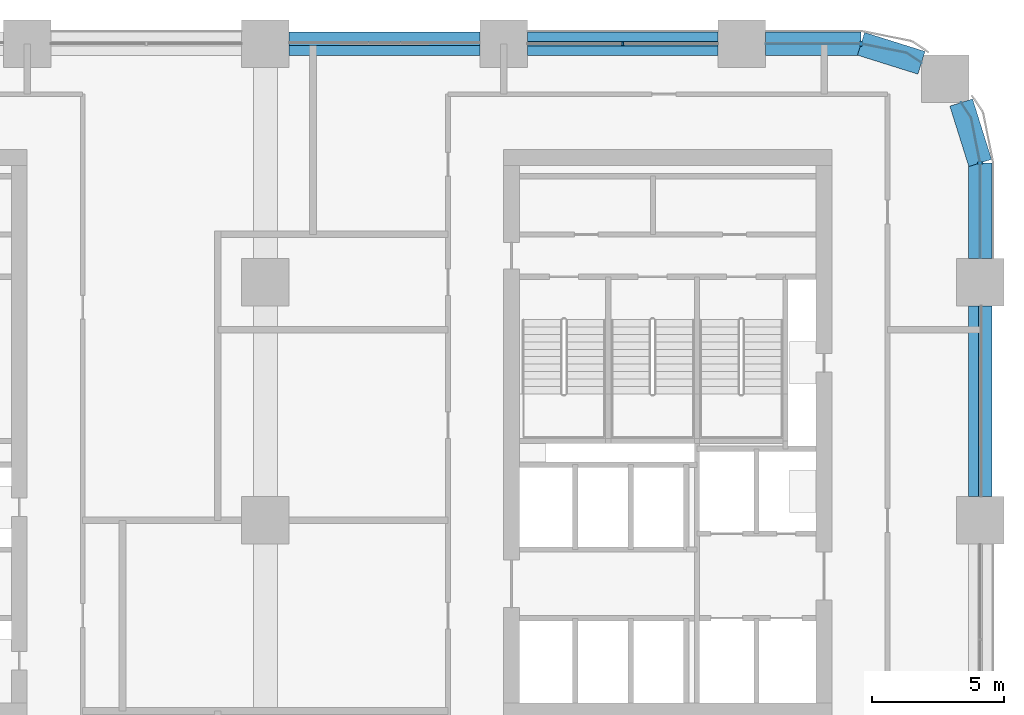
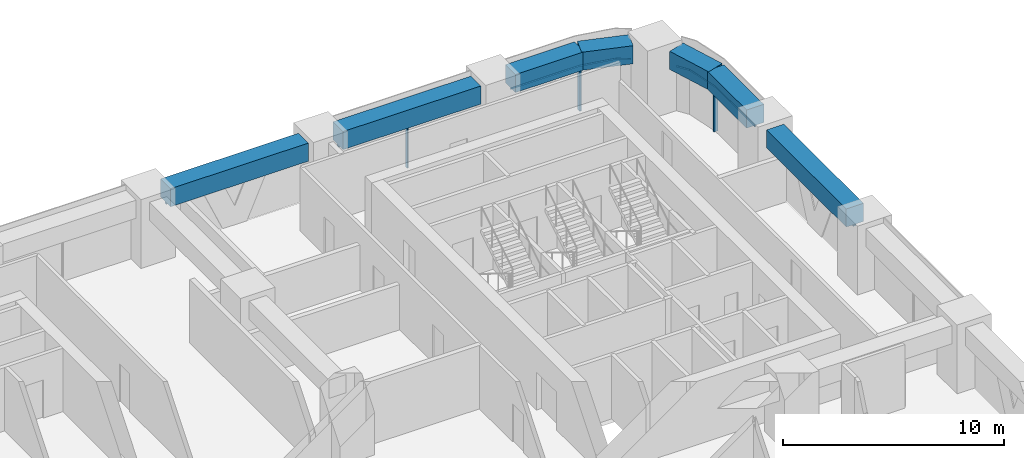
# One storey, part 9 of 21: 8 members, 7 beams, 5 elements without a shape of their own.
"""IFC4 building model written with IfcOpenShell, lengths in metres."""

from ifc_helpers import new_model, si_unit, direction, frame, origin, origin_2d, place, context, subcontext, project, spatial, polyline, rectangle, outline, extrude, material, material_profile, profile_set, type_object, element, aggregate, save


model = new_model("IFC4")

# Units and contexts
model_context = context("Model", 3, precision=1e-05, world=origin(), true_north=direction((0.0, 1.0)))
body_context = subcontext(model_context, "Body", "Model", "MODEL_VIEW")
ifc_project = project(units=[si_unit("LENGTHUNIT", "METRE"), si_unit("AREAUNIT", "SQUARE_METRE"), si_unit("VOLUMEUNIT", "CUBIC_METRE"), si_unit("PLANEANGLEUNIT", "RADIAN"), si_unit("MASSUNIT", "GRAM", prefix="KILO")], contexts=[model_context])

# Site, building, storey
site_placement = place(None, origin())
site = spatial("IfcSite", under=ifc_project, at=site_placement, CompositionType="ELEMENT")
building_placement = place(site_placement, origin())
building = spatial("IfcBuilding", under=site, at=building_placement, Name="Tessera Arch", CompositionType="ELEMENT")
storey_placement = place(building_placement, frame((0.0, 0.0, 69.0)))
storey = spatial("IfcBuildingStorey", under=building, at=storey_placement, Name="L15", CompositionType="ELEMENT", Elevation=69.0)

# Curtain wall, members
ifc_material_1 = material(Name="CW1 curtain wall")
curtain_wall_type_1 = type_object("IfcCurtainWallType", Name="CW1 curtain wall", PredefinedType="NOTDEFINED", material=ifc_material_1)
curtain_wall_1_placement = place(storey_placement, origin())
curtain_wall_1 = element("IfcCurtainWall", 1, at=curtain_wall_1_placement, inside=storey, type_object=curtain_wall_type_1, Name="CW1 curtain wall N54.0/1 L15", PredefinedType="NOTDEFINED")
ifc_material_2 = material(Name="Anodised aluminium pale metal", Category="aluminium")
ifc_material_profile_1 = material_profile(ifc_material_2, rectangle(XDim=0.159912109375, YDim=0.06005859375, at=origin_2d()), Name="AL 60x160")
ifc_profile_set_1 = profile_set([ifc_material_profile_1], Name="Anodised aluminium pale metal")
member_type_1 = type_object("IfcMemberType", Name="CW1 mullion", PredefinedType="MULLION", material=ifc_profile_set_1)
member_1_placement = place(storey_placement, frame((40.5, 54.0, 0.0), z_axis=(0.0, 0.0, 1.0), x_axis=(0.0, -1.0, 0.0)))
member_1 = element("IfcMember", 2, at=member_1_placement, type_object=member_type_1, Name="CW1 mullion N54.0/1 1", PredefinedType="MULLION", context=body_context, shape_type="SweptSolid", body=[
    extrude(rectangle(XDim=0.159912109375, YDim=0.06005859375, at=origin_2d()), origin(), (0.0, 0.0, 1.0), 2.39990234375),
])
ifc_material_3 = material(Name="Anodised aluminium pale metal", Category="aluminium")
ifc_material_profile_2 = material_profile(ifc_material_3, rectangle(XDim=0.159912109375, YDim=0.10009765625, at=origin_2d()), Name="AL 160x100")
ifc_profile_set_2 = profile_set([ifc_material_profile_2], Name="Anodised aluminium pale metal")
member_type_2 = type_object("IfcMemberType", Name="CW1 transom", PredefinedType="USERDEFINED", material=ifc_profile_set_2)
member_2_placement = place(storey_placement, frame((44.10009765625, 54.0, 2.449951171875), z_axis=(-1.0, 0.0, 0.0), x_axis=(0.0, -1.0, 0.0)))
member_2 = element("IfcMember", 3, at=member_2_placement, type_object=member_type_2, Name="CW1 transom N54.0/1 1.1", ObjectType="TRANSOM", PredefinedType="USERDEFINED", context=body_context, shape_type="SweptSolid", body=[
    extrude(rectangle(XDim=0.159912109375, YDim=0.10009765625, at=origin_2d()), origin(), (0.0, 0.0, 1.0), 7.2001953125),
])
aggregate(curtain_wall_1, [member_1, member_2])

# Curtain wall, member
ifc_material_4 = material(Name="CW2 curtain wall")
curtain_wall_type_2 = type_object("IfcCurtainWallType", Name="CW2 curtain wall", PredefinedType="NOTDEFINED", material=ifc_material_4)
curtain_wall_2_placement = place(storey_placement, origin())
curtain_wall_2 = element("IfcCurtainWall", 4, at=curtain_wall_2_placement, inside=storey, type_object=curtain_wall_type_2, Name="CW2 curtain wall E54.0/5 L15", PredefinedType="NOTDEFINED")
ifc_material_5 = material(Name="Anodised aluminium pale metal", Category="aluminium")
ifc_material_profile_3 = material_profile(ifc_material_5, rectangle(XDim=0.199951171875, YDim=0.080078125, at=origin_2d()), Name="AL 80x200")
ifc_profile_set_3 = profile_set([ifc_material_profile_3], Name="Anodised aluminium pale metal")
member_type_3 = type_object("IfcMemberType", Name="CW2 mullion", PredefinedType="MULLION", material=ifc_profile_set_3)
member_3_placement = place(storey_placement, frame((54.0, 49.5, 0.0), z_axis=(0.0, 0.0, 1.0), x_axis=(-1.0, 0.0, 0.0)))
member_3 = element("IfcMember", 5, at=member_3_placement, type_object=member_type_3, Name="CW2 mullion E54.0/5 1", PredefinedType="MULLION", context=body_context, shape_type="SweptSolid", body=[
    extrude(rectangle(XDim=0.199951171875, YDim=0.080078125, at=origin_2d()), origin(), (0.0, 0.0, 1.0), 2.39990234375),
])

curtain_wall_3_placement = place(storey_placement, origin())
curtain_wall_3 = element("IfcCurtainWall", 6, at=curtain_wall_3_placement, inside=storey, type_object=curtain_wall_type_2, Name="CW2 curtain wall N54.0/0 L15", PredefinedType="NOTDEFINED")
member_4_placement = place(storey_placement, frame((49.5, 54.0, 0.0), z_axis=(0.0, 0.0, 1.0), x_axis=(0.0, -1.0, 0.0)))
member_4 = element("IfcMember", 7, at=member_4_placement, type_object=member_type_3, Name="CW2 mullion N54.0/0 1", PredefinedType="MULLION", context=body_context, shape_type="SweptSolid", body=[
    extrude(rectangle(XDim=0.199951171875, YDim=0.080078125, at=origin_2d()), origin(), (0.0, 0.0, 1.0), 2.39990234375),
])

# Member
ifc_material_6 = material(Name="Anodised aluminium pale metal", Category="aluminium")
ifc_material_profile_4 = material_profile(ifc_material_6, rectangle(XDim=0.199951171875, YDim=0.10009765625, at=origin_2d()), Name="AL 200x100")
ifc_profile_set_4 = profile_set([ifc_material_profile_4], Name="Anodised aluminium pale metal")
member_type_4 = type_object("IfcMemberType", Name="CW2 transom", PredefinedType="USERDEFINED", material=ifc_profile_set_4)
member_5_placement = place(storey_placement, frame((0.0, 0.0, 2.39990234375)))
member_5 = element("IfcMember", 8, at=member_5_placement, type_object=member_type_4, Name="CW2 transom E54.0/5 1", ObjectType="TRANSOM", PredefinedType="USERDEFINED", context=body_context, shape_type="SweptSolid", body=[
    extrude(outline(polyline([(53.989990234375, 49.4990234375), (53.989990234375, 45.89990234375), (54.010009765625, 45.89990234375), (54.010009765625, 49.5009765625), (53.6669921875, 51.22607421875), (53.29150390625, 51.78759765625), (53.27490234375, 51.7763671875), (53.648193359375, 51.21826171875), (53.989990234375, 49.4990234375)])), origin(), (0.0, 0.0, 1.0), 0.10009765625),
])

aggregate(curtain_wall_2, [member_3, member_5])

member_6_placement = place(storey_placement, frame((0.0, 0.0, 2.39990234375)))
member_6 = element("IfcMember", 9, at=member_6_placement, type_object=member_type_4, Name="CW2 transom N54.0/0 1", ObjectType="TRANSOM", PredefinedType="USERDEFINED", context=body_context, shape_type="SweptSolid", body=[
    extrude(outline(polyline([(51.21826171875, 53.648193359375), (51.7763671875, 53.27490234375), (51.78759765625, 53.29150390625), (51.22607421875, 53.6669921875), (49.5009765625, 54.010009765625), (45.89990234375, 54.010009765625), (45.89990234375, 53.989990234375), (49.4990234375, 53.989990234375), (51.21826171875, 53.648193359375)])), origin(), (0.0, 0.0, 1.0), 0.10009765625),
])

aggregate(curtain_wall_3, [member_4, member_6])

# Curtain wall, member
ifc_material_7 = material(Name="CW3 curtain wall")
curtain_wall_type_3 = type_object("IfcCurtainWallType", Name="CW3 curtain wall", PredefinedType="NOTDEFINED", material=ifc_material_7)
curtain_wall_4_placement = place(storey_placement, origin())
curtain_wall_4 = element("IfcCurtainWall", 10, at=curtain_wall_4_placement, inside=storey, type_object=curtain_wall_type_3, Name="CW3 curtain wall E54.0/4 L15", PredefinedType="NOTDEFINED")
ifc_material_8 = material(Name="Anodised aluminium pale metal", Category="aluminium")
ifc_material_profile_5 = material_profile(ifc_material_8, rectangle(XDim=0.139892578125, YDim=0.10009765625, at=origin_2d()), Name="AL 140x100")
ifc_profile_set_5 = profile_set([ifc_material_profile_5], Name="Anodised aluminium pale metal")
member_type_5 = type_object("IfcMemberType", Name="CW3 transom", PredefinedType="USERDEFINED", material=ifc_profile_set_5)
member_7_placement = place(storey_placement, frame((54.0, 36.89990234375, 2.449951171875), z_axis=(0.0, 1.0, 0.0), x_axis=(-1.0, 0.0, 0.0)))
member_7 = element("IfcMember", 11, at=member_7_placement, type_object=member_type_5, Name="CW3 transom E54.0/4 1.1", ObjectType="TRANSOM", PredefinedType="USERDEFINED", context=body_context, shape_type="SweptSolid", body=[
    extrude(rectangle(XDim=0.139892578125, YDim=0.10009765625, at=origin_2d()), origin(), (0.0, 0.0, 1.0), 7.2001953125),
])
aggregate(curtain_wall_4, [member_7])

curtain_wall_5_placement = place(storey_placement, origin())
curtain_wall_5 = element("IfcCurtainWall", 12, at=curtain_wall_5_placement, inside=storey, type_object=curtain_wall_type_3, Name="CW3 curtain wall N54.0/2 L15", PredefinedType="NOTDEFINED")
member_8_placement = place(storey_placement, frame((35.10009765625, 54.0, 2.449951171875), z_axis=(-1.0, 0.0, 0.0), x_axis=(0.0, -1.0, 0.0)))
member_8 = element("IfcMember", 13, at=member_8_placement, type_object=member_type_5, Name="CW3 transom N54.0/2 1.1", ObjectType="TRANSOM", PredefinedType="USERDEFINED", context=body_context, shape_type="SweptSolid", body=[
    extrude(rectangle(XDim=0.139892578125, YDim=0.10009765625, at=origin_2d()), origin(), (0.0, 0.0, 1.0), 7.2001953125),
])
aggregate(curtain_wall_5, [member_8])

# Beams
ifc_material_9 = material(Name="Concrete C80/95", Category="concrete")
ifc_material_profile_6 = material_profile(ifc_material_9, rectangle(XDim=0.89990234375, YDim=1.0, at=origin_2d()), Name="RC spandrel beam 900 x 1000 Concrete C80/95")
ifc_profile_set_6 = profile_set([ifc_material_profile_6], Name="Concrete C80/95")
beam_type = type_object("IfcBeamType", Name="RC spandrel beam 900 x 1000 Concrete C80/95", PredefinedType="BEAM", material=ifc_profile_set_6)
beam_1_placement = place(storey_placement, frame((54.0, 36.89990234375, 3.0), z_axis=(0.0, 1.0, 0.0), x_axis=(-1.0, 0.0, 0.0)))
element("IfcBeam", 14, at=beam_1_placement, inside=storey, type_object=beam_type, Name="Spandrel beam L15 E54.0/4", PredefinedType="BEAM", context=body_context, shape_type="SweptSolid", body=[
    extrude(rectangle(XDim=0.89990234375, YDim=1.0, at=origin_2d()), origin(), (0.0, 0.0, 1.0), 7.2001953125),
])
beam_2_placement = place(storey_placement, frame((54.0, 45.89990234375, 3.0), z_axis=(0.0, 1.0, 0.0), x_axis=(-1.0, 0.0, 0.0)))
element("IfcBeam", 15, at=beam_2_placement, inside=storey, type_object=beam_type, Name="Spandrel beam L15 E54.0/5.1", PredefinedType="BEAM", context=body_context, shape_type="SweptSolid", body=[
    extrude(rectangle(XDim=0.89990234375, YDim=1.0, at=origin_2d()), origin(), (0.0, 0.0, 1.0), 3.60009765625),
])
for number, where, z_axis, x_axis, name in (
    (16, (54.0, 49.5, 3.0), (-0.299675309057, 0.954041251279, 0.0), (-0.954041251279, -0.299675309057, 0.0), "Spandrel beam L15 E54.0/5.2"),
    (17, (51.781982421875, 53.283203125, 3.0), (-0.954041251279, 0.299675309057, 0.0), (-0.299675309057, -0.954041251279, 0.0), "Spandrel beam L15 N54.0/0.1"),
):
    element("IfcBeam", number, at=place(storey_placement, frame(where, z_axis=z_axis, x_axis=x_axis)), inside=storey, type_object=beam_type, Name=name, PredefinedType="BEAM", context=body_context, shape_type="SweptSolid", body=[
        extrude(rectangle(XDim=0.89990234375, YDim=1.0, at=origin_2d()), origin(), (0.0, 0.0, 1.0), 2.391845703125),
    ])
beam_3_placement = place(storey_placement, frame((49.5, 54.0, 3.0), z_axis=(-1.0, 0.0, 0.0), x_axis=(0.0, -1.0, 0.0)))
element("IfcBeam", 18, at=beam_3_placement, inside=storey, type_object=beam_type, Name="Spandrel beam L15 N54.0/0.2", PredefinedType="BEAM", context=body_context, shape_type="SweptSolid", body=[
    extrude(rectangle(XDim=0.89990234375, YDim=1.0, at=origin_2d()), origin(), (0.0, 0.0, 1.0), 3.60009765625),
])
for number, where, z_axis, x_axis, name in (
    (19, (44.10009765625, 54.0, 3.0), (-1.0, 0.0, 0.0), (0.0, -1.0, 0.0), "Spandrel beam L15 N54.0/1"),
    (20, (35.10009765625, 54.0, 3.0), (-1.0, 0.0, 0.0), (0.0, -1.0, 0.0), "Spandrel beam L15 N54.0/2"),
):
    element("IfcBeam", number, at=place(storey_placement, frame(where, z_axis=z_axis, x_axis=x_axis)), inside=storey, type_object=beam_type, Name=name, PredefinedType="BEAM", context=body_context, shape_type="SweptSolid", body=[
        extrude(rectangle(XDim=0.89990234375, YDim=1.0, at=origin_2d()), origin(), (0.0, 0.0, 1.0), 7.2001953125),
    ])

save(model, "model.ifc")
